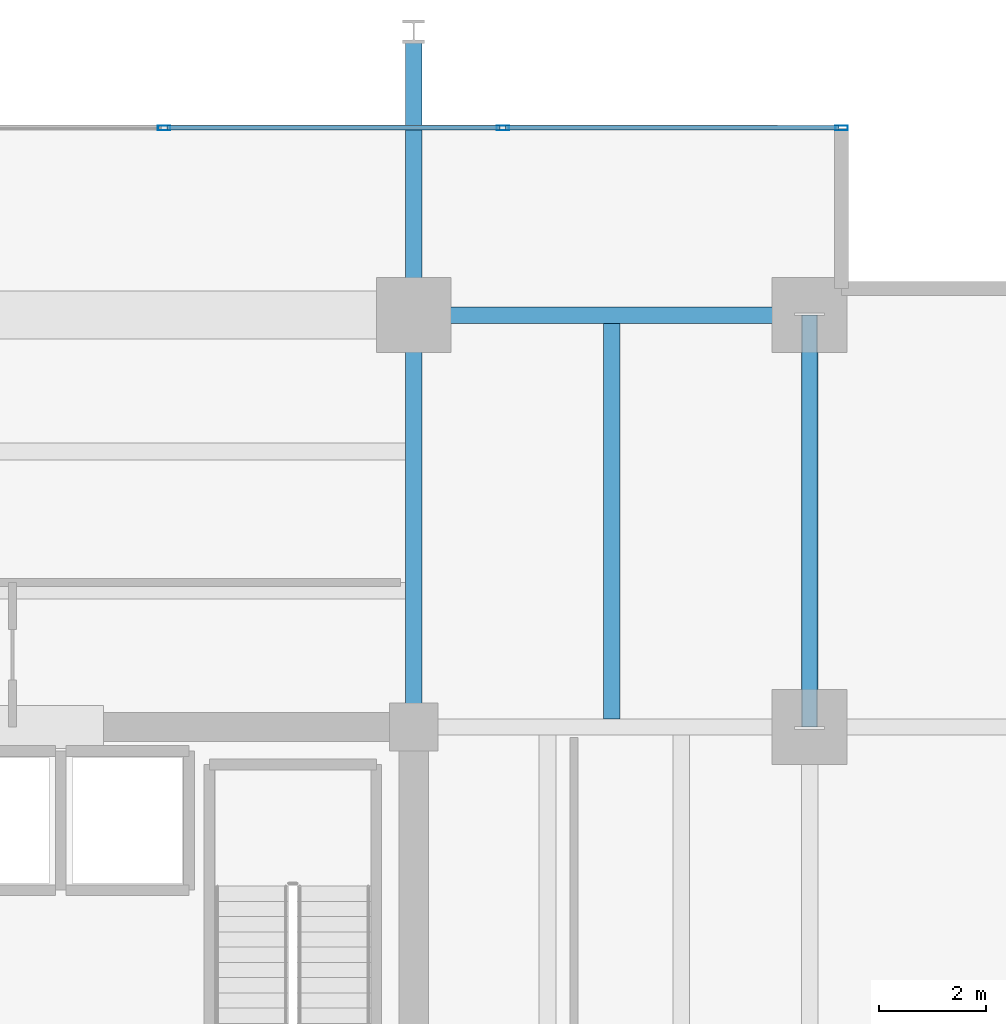
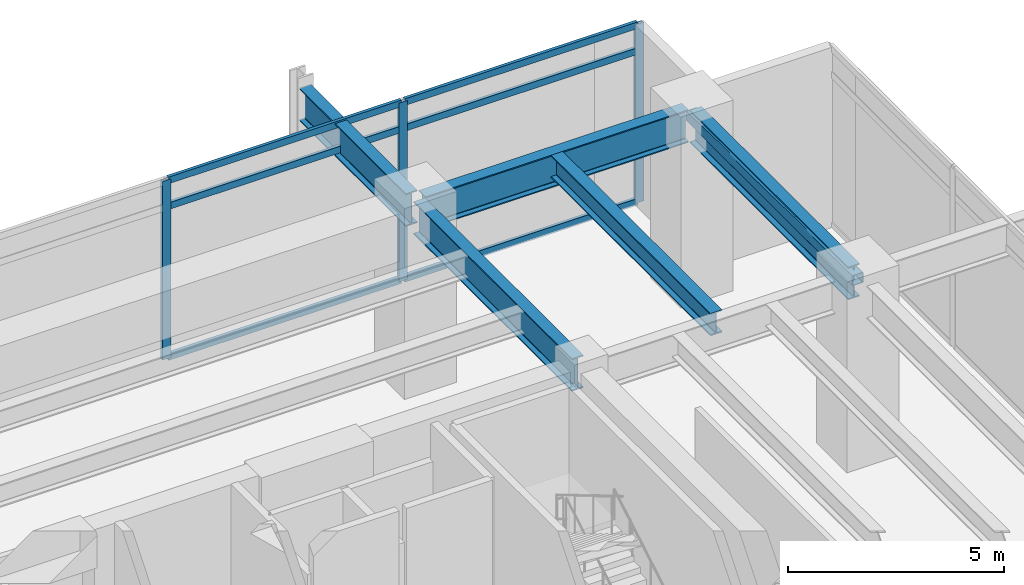
# One storey, part 17 of 24: 10 members, 5 beams, 1 element without a shape of its own.
"""IFC4 building model written with IfcOpenShell, lengths in metres."""

from ifc_helpers import new_model, si_unit, direction, frame, origin, origin_2d, place, context, subcontext, project, spatial, hollow_rectangle, i_section, extrude, material, material_profile, profile_set, type_object, element, aggregate, save


model = new_model("IFC4")

# Units and contexts
model_context = context("Model", 3, precision=1e-05, world=origin(), true_north=direction((0.0, 1.0)))
body_context = subcontext(model_context, "Body", "Model", "MODEL_VIEW")
ifc_project = project(units=[si_unit("LENGTHUNIT", "METRE"), si_unit("AREAUNIT", "SQUARE_METRE"), si_unit("VOLUMEUNIT", "CUBIC_METRE"), si_unit("PLANEANGLEUNIT", "RADIAN"), si_unit("MASSUNIT", "GRAM", prefix="KILO")], contexts=[model_context])

# Site, building, storey
site_placement = place(None, origin())
site = spatial("IfcSite", under=ifc_project, at=site_placement, CompositionType="ELEMENT")
building_placement = place(site_placement, origin())
building = spatial("IfcBuilding", under=site, at=building_placement, Name="Kovane Verandah Tower", CompositionType="ELEMENT")
storey_placement = place(building_placement, frame((0.0, 0.0, 194.800048828125)))
storey = spatial("IfcBuildingStorey", under=building, at=storey_placement, Name="L45", CompositionType="ELEMENT", Elevation=194.800048828125)

# Beams
ifc_material_1 = material(Name="Steel S460", Category="steel")
ifc_material_profile_1 = material_profile(ifc_material_1, i_section(OverallWidth=0.311279296875, OverallDepth=0.6357421875, WebThickness=0.018310546875, FlangeThickness=0.031494140625, FilletRadius=0.0166015625, at=origin_2d()), Name="UB610x305x238")
ifc_profile_set_1 = profile_set([ifc_material_profile_1], Name="Steel S460")
beam_type_1 = type_object("IfcBeamType", Name="BM-UB610x238", PredefinedType="BEAM", material=ifc_profile_set_1)
beam_1_placement = place(storey_placement, frame((54.699951171875, 36.65185546875, 4.781982421875), z_axis=(0.0, 1.0, 0.0), x_axis=(-1.0, 0.0, 0.0)))
element("IfcBeam", 1, at=beam_1_placement, inside=storey, type_object=beam_type_1, Name="L45 Secondary Composite Joist J-NE1", PredefinedType="BEAM", context=body_context, shape_type="SweptSolid", body=[
    extrude(i_section(OverallWidth=0.311279296875, OverallDepth=0.6357421875, WebThickness=0.018310546875, FlangeThickness=0.031494140625, FilletRadius=0.0166015625, at=origin_2d()), origin(), (0.0, 0.0, 1.0), 7.396240234375),
])
ifc_material_profile_2 = material_profile(ifc_material_1, i_section(OverallWidth=0.3076171875, OverallDepth=0.926513671875, WebThickness=0.01953125, FlangeThickness=0.031982421875, FilletRadius=0.01904296875, at=origin_2d()), Name="UB914x305x289")
ifc_profile_set_2 = profile_set([ifc_material_profile_2], Name="Steel S460")
beam_type_2 = type_object("IfcBeamType", Name="BM-UB914x289", PredefinedType="BEAM", material=ifc_profile_set_2)
beam_2_placement = place(storey_placement, frame((51.179931640625, 44.199951171875, 4.63671875), z_axis=(1.0, 0.0, 0.0), x_axis=(0.0, 1.0, 0.0)))
element("IfcBeam", 2, at=beam_2_placement, inside=storey, type_object=beam_type_2, Name="L45 Primary Tower Girder G-RN3", PredefinedType="BEAM", context=body_context, shape_type="SweptSolid", body=[
    extrude(i_section(OverallWidth=0.3076171875, OverallDepth=0.926513671875, WebThickness=0.01953125, FlangeThickness=0.031982421875, FilletRadius=0.01904296875, at=origin_2d()), origin(), (0.0, 0.0, 1.0), 7.0400390625),
])
for number, where, z_axis, x_axis, name in (
    (3, (58.39990234375, 36.679931640625, 4.63671875), (0.0, 1.0, 0.0), (-1.0, 0.0, 0.0), "L45 Primary Tower Girder G-RE3"),
    (4, (51.0, 36.679931640625, 4.63671875), (0.0, 1.0, 0.0), (-1.0, 0.0, 0.0), "L45 Primary Tower Girder G-N2"),
):
    element("IfcBeam", number, at=place(storey_placement, frame(where, z_axis=z_axis, x_axis=x_axis)), inside=storey, type_object=beam_type_2, Name=name, PredefinedType="BEAM", context=body_context, shape_type="SweptSolid", body=[
        extrude(i_section(OverallWidth=0.3076171875, OverallDepth=0.926513671875, WebThickness=0.01953125, FlangeThickness=0.031982421875, FilletRadius=0.01904296875, at=origin_2d()), origin(), (0.0, 0.0, 1.0), 7.340087890625),
    ])
beam_3_placement = place(storey_placement, frame((51.0, 44.3798828125, 4.63671875), z_axis=(0.0, 1.0, 0.0), x_axis=(-1.0, 0.0, 0.0)))
element("IfcBeam", 5, at=beam_3_placement, inside=storey, type_object=beam_type_2, Name="L45 Primary Tower Girder G-VN2", PredefinedType="BEAM", context=body_context, shape_type="SweptSolid", body=[
    extrude(i_section(OverallWidth=0.3076171875, OverallDepth=0.926513671875, WebThickness=0.01953125, FlangeThickness=0.031982421875, FilletRadius=0.01904296875, at=origin_2d()), origin(), (0.0, 0.0, 1.0), 4.940185546875),
])

# Curtain wall, members
ifc_material_2 = material(Name="Champagne Anodised Aluminium Frame with Low-E Clear Laminated Glass", Category="aluminium")
curtain_wall_type = type_object("IfcCurtainWallType", Name="CW-SYS-04-WAIST", PredefinedType="NOTDEFINED", material=ifc_material_2)
curtain_wall_placement = place(storey_placement, origin())
curtain_wall = element("IfcCurtainWall", 6, at=curtain_wall_placement, inside=storey, type_object=curtain_wall_type, Name="L45 N Unitised Curtain Wall", PredefinedType="NOTDEFINED")
ifc_material_3 = material(Name="Champagne Anodised Aluminium 6063-T6", Category="aluminium")
ifc_material_profile_3 = material_profile(ifc_material_3, hollow_rectangle(XDim=0.0849609375, YDim=0.22998046875, WallThickness=0.00390625, at=origin_2d()), Name="AL85x230x4")
ifc_profile_set_3 = profile_set([ifc_material_profile_3], Name="Champagne Anodised Aluminium 6063-T6")
member_type_1 = type_object("IfcMemberType", Name="CW-MUL-85x230", PredefinedType="MULLION", material=ifc_profile_set_3)
member_1_placement = place(storey_placement, frame((59.0, 47.699951171875, 0.02001953125), z_axis=(0.0, 0.0, 1.0), x_axis=(0.0, 1.0, 0.0)))
member_1 = element("IfcMember", 7, at=member_1_placement, type_object=member_type_1, Name="L45 N Unitised Curtain Wall Mullion 1", PredefinedType="MULLION", context=body_context, shape_type="SweptSolid", body=[
    extrude(hollow_rectangle(XDim=0.0849609375, YDim=0.22998046875, WallThickness=0.00390625, at=origin_2d()), origin(), (0.0, 0.0, 1.0), 5.059814453125),
])
member_2_placement = place(storey_placement, frame((52.666748046875, 47.699951171875, 0.02001953125), z_axis=(0.0, 0.0, 1.0), x_axis=(0.0, 1.0, 0.0)))
member_2 = element("IfcMember", 8, at=member_2_placement, type_object=member_type_1, Name="L45 N Unitised Curtain Wall Mullion 2", PredefinedType="MULLION", context=body_context, shape_type="SweptSolid", body=[
    extrude(hollow_rectangle(XDim=0.0849609375, YDim=0.22998046875, WallThickness=0.00390625, at=origin_2d()), origin(), (0.0, 0.0, 1.0), 5.059814453125),
])
member_3_placement = place(storey_placement, frame((46.333251953125, 47.699951171875, 0.02001953125), z_axis=(0.0, 0.0, 1.0), x_axis=(0.0, 1.0, 0.0)))
member_3 = element("IfcMember", 9, at=member_3_placement, type_object=member_type_1, Name="L45 N Unitised Curtain Wall Mullion 3", PredefinedType="MULLION", context=body_context, shape_type="SweptSolid", body=[
    extrude(hollow_rectangle(XDim=0.0849609375, YDim=0.22998046875, WallThickness=0.00390625, at=origin_2d()), origin(), (0.0, 0.0, 1.0), 5.059814453125),
])
ifc_material_profile_4 = material_profile(ifc_material_3, hollow_rectangle(XDim=0.0849609375, YDim=0.18994140625, WallThickness=0.00390625, at=origin_2d()), Name="AL85x190x4")
ifc_profile_set_4 = profile_set([ifc_material_profile_4], Name="Champagne Anodised Aluminium 6063-T6")
member_type_2 = type_object("IfcMemberType", Name="CW-TRN-85x190", PredefinedType="USERDEFINED", material=ifc_profile_set_4)
member_4_placement = place(storey_placement, frame((58.949951171875, 47.699951171875, 0.050048828125), z_axis=(-1.0, 0.0, 0.0), x_axis=(0.0, -1.0, 0.0)))
member_4 = element("IfcMember", 10, at=member_4_placement, type_object=member_type_2, Name="L45 N Unitised Curtain Wall Transom TB Bay 1", ObjectType="TRANSOM", PredefinedType="USERDEFINED", context=body_context, shape_type="SweptSolid", body=[
    extrude(hollow_rectangle(XDim=0.0849609375, YDim=0.18994140625, WallThickness=0.00390625, at=origin_2d()), origin(), (0.0, 0.0, 1.0), 6.233154296875),
])
member_5_placement = place(storey_placement, frame((58.949951171875, 47.699951171875, 4.320068359375), z_axis=(-1.0, 0.0, 0.0), x_axis=(0.0, -1.0, 0.0)))
member_5 = element("IfcMember", 11, at=member_5_placement, type_object=member_type_2, Name="L45 N Unitised Curtain Wall Transom TM Bay 1", ObjectType="TRANSOM", PredefinedType="USERDEFINED", context=body_context, shape_type="SweptSolid", body=[
    extrude(hollow_rectangle(XDim=0.0849609375, YDim=0.18994140625, WallThickness=0.00390625, at=origin_2d()), origin(), (0.0, 0.0, 1.0), 6.233154296875),
])
member_6_placement = place(storey_placement, frame((58.949951171875, 47.699951171875, 5.050048828125), z_axis=(-1.0, 0.0, 0.0), x_axis=(0.0, -1.0, 0.0)))
member_6 = element("IfcMember", 12, at=member_6_placement, type_object=member_type_2, Name="L45 N Unitised Curtain Wall Transom TT Bay 1", ObjectType="TRANSOM", PredefinedType="USERDEFINED", context=body_context, shape_type="SweptSolid", body=[
    extrude(hollow_rectangle(XDim=0.0849609375, YDim=0.18994140625, WallThickness=0.00390625, at=origin_2d()), origin(), (0.0, 0.0, 1.0), 6.233154296875),
])
member_7_placement = place(storey_placement, frame((52.61669921875, 47.699951171875, 0.050048828125), z_axis=(-1.0, 0.0, 0.0), x_axis=(0.0, -1.0, 0.0)))
member_7 = element("IfcMember", 13, at=member_7_placement, type_object=member_type_2, Name="L45 N Unitised Curtain Wall Transom TB Bay 2", ObjectType="TRANSOM", PredefinedType="USERDEFINED", context=body_context, shape_type="SweptSolid", body=[
    extrude(hollow_rectangle(XDim=0.0849609375, YDim=0.18994140625, WallThickness=0.00390625, at=origin_2d()), origin(), (0.0, 0.0, 1.0), 6.2333984375),
])
member_8_placement = place(storey_placement, frame((52.61669921875, 47.699951171875, 4.320068359375), z_axis=(-1.0, 0.0, 0.0), x_axis=(0.0, -1.0, 0.0)))
member_8 = element("IfcMember", 14, at=member_8_placement, type_object=member_type_2, Name="L45 N Unitised Curtain Wall Transom TM Bay 2", ObjectType="TRANSOM", PredefinedType="USERDEFINED", context=body_context, shape_type="SweptSolid", body=[
    extrude(hollow_rectangle(XDim=0.0849609375, YDim=0.18994140625, WallThickness=0.00390625, at=origin_2d()), origin(), (0.0, 0.0, 1.0), 6.2333984375),
])
member_9_placement = place(storey_placement, frame((52.61669921875, 47.699951171875, 5.050048828125), z_axis=(-1.0, 0.0, 0.0), x_axis=(0.0, -1.0, 0.0)))
member_9 = element("IfcMember", 15, at=member_9_placement, type_object=member_type_2, Name="L45 N Unitised Curtain Wall Transom TT Bay 2", ObjectType="TRANSOM", PredefinedType="USERDEFINED", context=body_context, shape_type="SweptSolid", body=[
    extrude(hollow_rectangle(XDim=0.0849609375, YDim=0.18994140625, WallThickness=0.00390625, at=origin_2d()), origin(), (0.0, 0.0, 1.0), 6.2333984375),
])
aggregate(curtain_wall, [member_1, member_2, member_3, member_4, member_5, member_6, member_7, member_8, member_9])

# Member
ifc_material_profile_5 = material_profile(ifc_material_1, hollow_rectangle(XDim=0.300048828125, YDim=0.300048828125, WallThickness=0.01611328125, InnerFilletRadius=0.01611328125, OuterFilletRadius=0.031982421875, at=origin_2d()), Name="SHS300x300x16")
ifc_profile_set_5 = profile_set([ifc_material_profile_5], Name="Steel S460")
member_type_3 = type_object("IfcMemberType", Name="MEM-BR-SHS300", PredefinedType="BRACE", material=ifc_profile_set_5)
member_10_placement = place(storey_placement, frame((58.39990234375, 36.5, 4.820068359375), z_axis=(0.0, 1.0, 0.0), x_axis=(-1.0, 0.0, 0.0)))
element("IfcMember", 16, at=member_10_placement, inside=storey, type_object=member_type_3, Name="L45 Belt-Truss Ring Chord BE2", PredefinedType="BRACE", context=body_context, shape_type="SweptSolid", body=[
    extrude(hollow_rectangle(XDim=0.300048828125, YDim=0.300048828125, WallThickness=0.01611328125, InnerFilletRadius=0.01611328125, OuterFilletRadius=0.031982421875, at=origin_2d()), origin(), (0.0, 0.0, 1.0), 7.699951171875),
])

save(model, "model.ifc")
